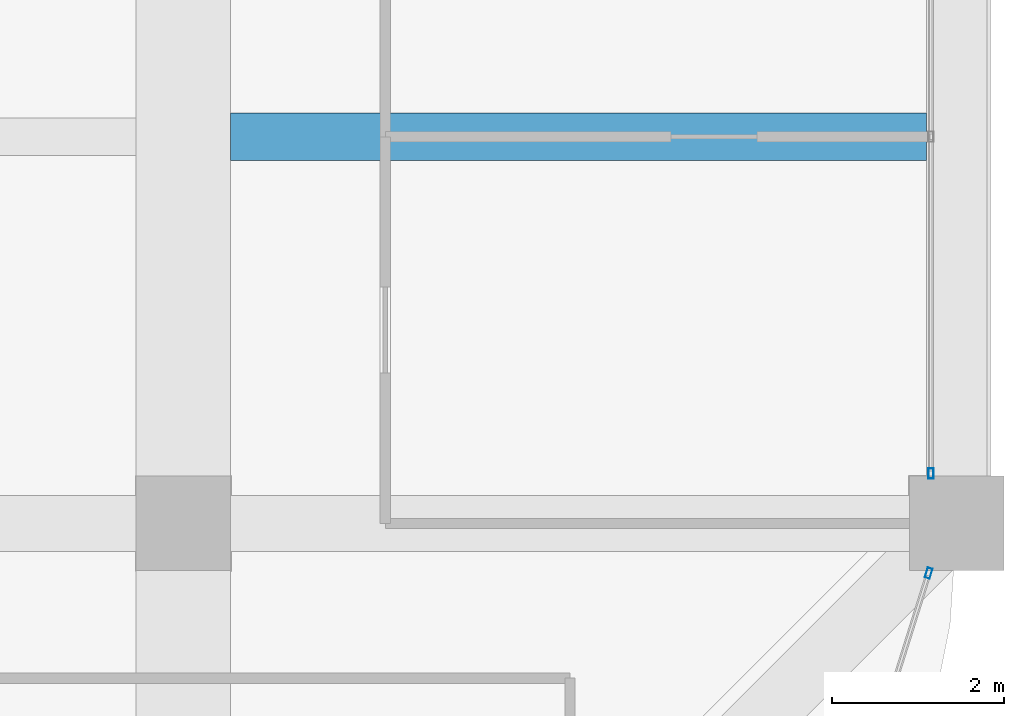
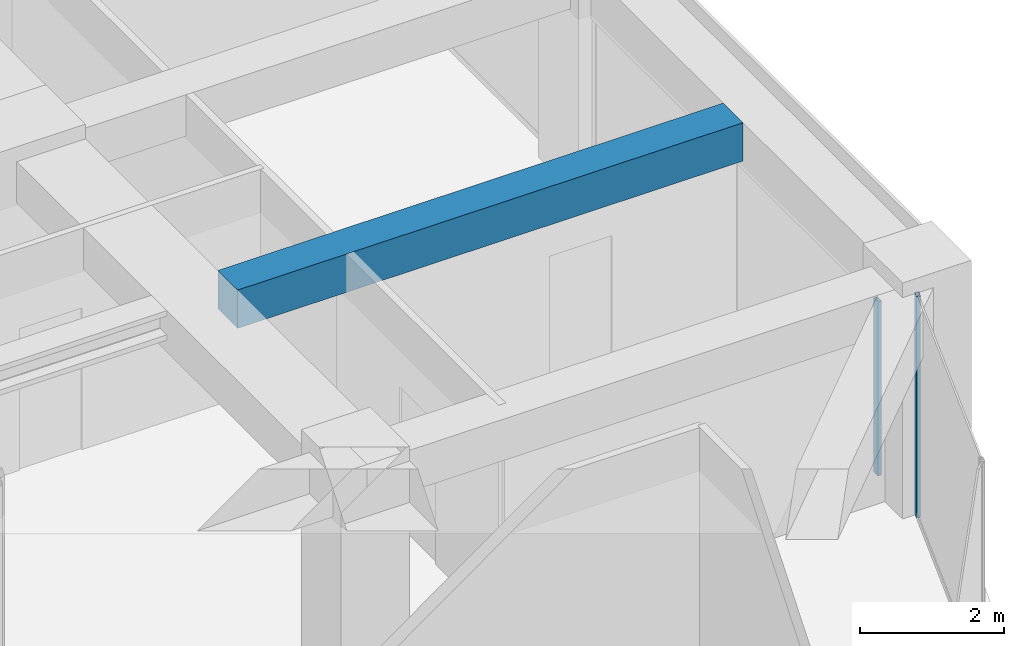
# One storey, part 22 of 44: 2 members, 1 beam, 2 elements without a shape of their own.
"""IFC4 building model written with IfcOpenShell, lengths in metres."""

import ifcopenshell
import ifcopenshell.guid

model = None  # the IFC model being written
_history = None  # IfcOwnerHistory: only IFC2X3 demands one
_inside = {}  # id of a spatial element -> (the spatial element, [elements in it])
_under = {}  # id of a project, library or spatial element -> (it, [spatial elements below it])
_declared = {}  # id of a project -> (the project, [libraries it declares])
_typed = {}  # id of a type object -> (the type object, [elements of that type])
_made_of = {}  # id of a material, layer set ... -> (it, [elements and type objects made of it])


def new_model(schema):
    """Start an empty IFC model of exactly this schema.

    Asked for "IFC4X3", IfcOpenShell would pick the latest addendum, in which some entities
    have other attributes; the version numbers below select the first issue.
    IFC2X3 requires an IfcOwnerHistory on every rooted entity: one is made here for all.
    """
    global model, _history
    if schema == "IFC4X3":
        model = ifcopenshell.file(schema_version=(4, 3, 0, 0))
    else:
        model = ifcopenshell.file(schema=schema)
    _inside.clear()
    _under.clear()
    _declared.clear()
    _typed.clear()
    _made_of.clear()
    _history = None
    if model.schema == "IFC2X3":
        org = make("IfcOrganization", Name="unknown")
        user = make(
            "IfcPersonAndOrganization",
            ThePerson=make("IfcPerson", FamilyName="unknown"),
            TheOrganization=org,
        )
        app = make(
            "IfcApplication",
            ApplicationDeveloper=org,
            Version="unknown",
            ApplicationFullName="unknown",
            ApplicationIdentifier="unknown",
        )
        _history = make(
            "IfcOwnerHistory",
            OwningUser=user,
            OwningApplication=app,
            ChangeAction="ADDED",
            CreationDate=0,
        )
    return model


def make(cls, **values):
    """One entity of the class cls with the attributes given. An attribute that is None is left unset."""
    return model.create_entity(
        cls, **{name: value for name, value in values.items() if value is not None}
    )


def rooted(cls, **values):
    """An entity with a GlobalId (a new one), such as an element, a storey or a relation."""
    return make(cls, GlobalId=ifcopenshell.guid.new(), OwnerHistory=_history, **values)


def si_unit(unit_type, name, prefix=None):
    """IfcSIUnit, for example si_unit("LENGTHUNIT", "METRE", prefix="MILLI")."""
    return make("IfcSIUnit", UnitType=unit_type, Prefix=prefix, Name=name)


def assignment(units):
    """IfcUnitAssignment: the units of a project."""
    return None if units is None else make("IfcUnitAssignment", Units=units)


def point(xyz):
    """IfcCartesianPoint."""
    return None if xyz is None else make("IfcCartesianPoint", Coordinates=xyz)


def direction(xyz):
    """IfcDirection."""
    return None if xyz is None else make("IfcDirection", DirectionRatios=xyz)


def frame(location, z_axis=None, x_axis=None):
    """IfcAxis2Placement3D, a coordinate frame: its origin and axes. An axis left out is left unset."""
    return make(
        "IfcAxis2Placement3D",
        Location=point(location),
        Axis=direction(z_axis),
        RefDirection=direction(x_axis),
    )


def frame_2d(location, x_axis=None):
    """IfcAxis2Placement2D, a coordinate frame in the plane: its origin and x axis."""
    return make(
        "IfcAxis2Placement2D", Location=point(location), RefDirection=direction(x_axis)
    )


def origin():
    """The frame at (0, 0, 0) with its axes left unset."""
    return frame((0.0, 0.0, 0.0))


def origin_2d():
    """The frame at (0, 0) in the plane with its x axis left unset."""
    return frame_2d((0.0, 0.0))


def place(relative_to, where):
    """IfcLocalPlacement: puts the frame where relative to a parent placement (None: the world)."""
    return make(
        "IfcLocalPlacement", PlacementRelTo=relative_to, RelativePlacement=where
    )


def context(
    kind, dimensions, precision=None, world=None, true_north=None, identifier=None
):
    """IfcGeometricRepresentationContext, for example the 3D "Model" context."""
    return make(
        "IfcGeometricRepresentationContext",
        ContextIdentifier=identifier,
        ContextType=kind,
        CoordinateSpaceDimension=dimensions,
        Precision=precision,
        WorldCoordinateSystem=world,
        TrueNorth=true_north,
    )


def subcontext(parent, identifier, kind, view, scale=None):
    """IfcGeometricRepresentationSubContext, for example "Body" below "Model"."""
    return make(
        "IfcGeometricRepresentationSubContext",
        ContextIdentifier=identifier,
        ContextType=kind,
        ParentContext=parent,
        TargetScale=scale,
        TargetView=view,
    )


def project(units=None, contexts=None):
    """IfcProject with its units and contexts."""
    return rooted(
        "IfcProject",
        Name="project",
        RepresentationContexts=contexts,
        UnitsInContext=assignment(units),
    )


def spatial(cls, under=None, at=None, **own):
    """A site, building, storey or space (cls), placed at a placement, below another one or the project."""
    s = rooted(cls, ObjectPlacement=at, **own)
    if under is not None:
        _under.setdefault(under.id(), (under, []))[1].append(s)
    return s


def profile(cls, at=None, kind="AREA", **sizes):
    """A parametric profile (cls). Its sizes go by their IFC names, for example OverallWidth=200.0."""
    return make(cls, ProfileType=kind, Position=at, **sizes)


def rectangle(**sizes):
    """IfcRectangleProfileDef."""
    return profile("IfcRectangleProfileDef", **sizes)


def hollow_rectangle(**sizes):
    """IfcRectangleHollowProfileDef."""
    return profile("IfcRectangleHollowProfileDef", **sizes)


def extrude(swept, where, along, depth):
    """IfcExtrudedAreaSolid: the profile swept, set in the frame where, extruded along a direction by depth."""
    return make(
        "IfcExtrudedAreaSolid",
        SweptArea=swept,
        Position=where,
        ExtrudedDirection=direction(along),
        Depth=depth,
    )


def shape(context_of_items, identifier, shape_type, items):
    """IfcShapeRepresentation: the items that make up one representation, for example the "Body"."""
    return make(
        "IfcShapeRepresentation",
        ContextOfItems=context_of_items,
        RepresentationIdentifier=identifier,
        RepresentationType=shape_type,
        Items=items,
    )


def material(Name=None, Category=None):
    """IfcMaterial."""
    return make("IfcMaterial", Name=Name, Category=Category)


def material_profile(
    of_material, cross_section, Name=None, Category=None, Priority=None
):
    """IfcMaterialProfile: a cross section and its material."""
    return make(
        "IfcMaterialProfile",
        Name=Name,
        Material=of_material,
        Profile=cross_section,
        Priority=Priority,
        Category=Category,
    )


def profile_set(profiles, Name=None, composite=None):
    """IfcMaterialProfileSet."""
    return make(
        "IfcMaterialProfileSet",
        Name=Name,
        MaterialProfiles=profiles,
        CompositeProfile=composite,
    )


def made_of(thing, what):
    """Note that an element or type object is made of a material, layer set ...; save() writes the relation."""
    if what is not None:
        _made_of.setdefault(what.id(), (what, []))[1].append(thing)
    return thing


def type_object(cls, material=None, **own):
    """A type object (cls), such as IfcWallType, which elements share."""
    return made_of(rooted(cls, **own), material)


def element(
    cls,
    number,
    at=None,
    inside=None,
    cuts=None,
    type_object=None,
    material=None,
    context=None,
    identifier="Body",
    shape_type=None,
    held_by="IfcProductDefinitionShape",
    body=None,
    shapes=None,
    **own,
):
    """One element of the class cls, such as IfcWall. Its Tag is "e" and its number.

    at: its placement. inside: the storey or other place that contains it. cuts: it is an
    opening in that element (IfcRelVoidsElement). A single representation is given by context,
    identifier, shape_type and body (its items); several are given by shapes. held_by: the class
    of the entity that holds the representations. save() writes the other relations.
    """
    e = rooted(cls, Tag="e%d" % number, ObjectPlacement=at, **own)
    if body is not None:
        shapes = [shape(context, identifier, shape_type, body)]
    if shapes is not None:
        e.Representation = make(held_by, Representations=shapes)
    if inside is not None:
        _inside.setdefault(inside.id(), (inside, []))[1].append(e)
    if cuts is not None:
        rooted(
            "IfcRelVoidsElement", RelatingBuildingElement=cuts, RelatedOpeningElement=e
        )
    if type_object is not None:
        _typed.setdefault(type_object.id(), (type_object, []))[1].append(e)
    return made_of(e, material)


def aggregate(whole, parts):
    """IfcRelAggregates: a whole, such as a stair, and the parts it consists of."""
    return rooted("IfcRelAggregates", RelatingObject=whole, RelatedObjects=parts)


def save(model, path):
    """Write the relations noted so far, then the file.

    IfcRelAggregates (storeys below a building ...), IfcRelContainedInSpatialStructure (elements
    in a storey), IfcRelDefinesByType, IfcRelAssociatesMaterial and IfcRelDeclares: one each for
    every whole, place, type object, material and project.
    """
    for whole, parts in _under.values():
        aggregate(whole, parts)
    for where, things in _inside.values():
        rooted(
            "IfcRelContainedInSpatialStructure",
            RelatedElements=things,
            RelatingStructure=where,
        )
    for kind, things in _typed.values():
        rooted("IfcRelDefinesByType", RelatedObjects=things, RelatingType=kind)
    for what, things in _made_of.values():
        rooted("IfcRelAssociatesMaterial", RelatedObjects=things, RelatingMaterial=what)
    for by, libraries in _declared.values():
        rooted("IfcRelDeclares", RelatingContext=by, RelatedDefinitions=libraries)
    model.write(path)


model = new_model("IFC4")

# Units and contexts
model_context = context("Model", 3, precision=1e-05, world=origin(), true_north=direction((0.0, 1.0)))
body_context = subcontext(model_context, "Body", "Model", "MODEL_VIEW")
ifc_project = project(units=[si_unit("LENGTHUNIT", "METRE"), si_unit("AREAUNIT", "SQUARE_METRE"), si_unit("VOLUMEUNIT", "CUBIC_METRE"), si_unit("PLANEANGLEUNIT", "RADIAN"), si_unit("MASSUNIT", "GRAM", prefix="KILO")], contexts=[model_context])

# Site, building, storey
site_placement = place(None, origin())
site = spatial("IfcSite", under=ifc_project, at=site_placement, CompositionType="ELEMENT")
building_placement = place(site_placement, origin())
building = spatial("IfcBuilding", under=site, at=building_placement, Name="Zorevar Civic Tower", CompositionType="ELEMENT")
storey_placement = place(building_placement, frame((0.0, 0.0, 299.39990234375)))
storey = spatial("IfcBuildingStorey", under=building, at=storey_placement, Name="L73", CompositionType="ELEMENT", Elevation=299.39990234375)

# Beam
ifc_material_1 = material(Name="Concrete C50/60", Category="concrete")
ifc_material_profile_1 = material_profile(ifc_material_1, rectangle(XDim=0.550048828125, YDim=0.64990234375, at=origin_2d()), Name="RC 550x650")
ifc_profile_set_1 = profile_set([ifc_material_profile_1], Name="Concrete C50/60")
beam_type = type_object("IfcBeamType", Name="Beam RC 550x650", PredefinedType="BEAM", material=ifc_profile_set_1)
beam_placement = place(storey_placement, frame((45.550048828125, 13.5, 3.425048828125), z_axis=(1.0, 0.0, 0.0), x_axis=(0.0, 1.0, 0.0)))
element("IfcBeam", 1, at=beam_placement, inside=storey, type_object=beam_type, Name="Secondary beam L74", PredefinedType="BEAM", context=body_context, shape_type="SweptSolid", body=[
    extrude(rectangle(XDim=0.550048828125, YDim=0.64990234375, at=origin_2d()), origin(), (0.0, 0.0, 1.0), 8.099853515625),
])

# Curtain wall, member
ifc_material_2 = material(Name="Dark grey solar-control glass in black aluminium frame", Category="aluminium")
curtain_wall_type = type_object("IfcCurtainWallType", Name="Curtain wall CW5 top zone", PredefinedType="NOTDEFINED", material=ifc_material_2)
curtain_wall_1_placement = place(storey_placement, origin())
curtain_wall_1 = element("IfcCurtainWall", 2, at=curtain_wall_1_placement, inside=storey, type_object=curtain_wall_type, Name="CW5 L73", PredefinedType="NOTDEFINED")
ifc_material_3 = material(Name="Aluminium, black anodised", Category="aluminium")
ifc_material_profile_2 = material_profile(ifc_material_3, hollow_rectangle(XDim=0.06005859375, YDim=0.1201171875, WallThickness=0.0029296875, at=origin_2d()), Name="AL 120x60x3")
ifc_profile_set_2 = profile_set([ifc_material_profile_2], Name="Aluminium, black anodised")
member_type = type_object("IfcMemberType", Name="CW5 mullion AL 120x60x3", PredefinedType="MULLION", material=ifc_profile_set_2)
member_1_placement = place(storey_placement, frame((53.699951171875, 9.580078125, 0.0), z_axis=(0.0, 0.0, 1.0), x_axis=(-1.0, 0.0, 0.0)))
member_1 = element("IfcMember", 3, at=member_1_placement, type_object=member_type, Name="CW5 mullion 1", PredefinedType="MULLION", context=body_context, shape_type="SweptSolid", body=[
    extrude(hollow_rectangle(XDim=0.06005859375, YDim=0.1201171875, WallThickness=0.0029296875, at=origin_2d()), origin(), (0.0, 0.0, 1.0), 2.9501953125),
])
aggregate(curtain_wall_1, [member_1])

curtain_wall_2_placement = place(storey_placement, origin())
curtain_wall_2 = element("IfcCurtainWall", 4, at=curtain_wall_2_placement, inside=storey, type_object=curtain_wall_type, Name="CW5 L73", PredefinedType="NOTDEFINED")
member_2_placement = place(storey_placement, frame((53.673583984375, 8.42138671875, 0.0), z_axis=(0.0, 0.0, 1.0), x_axis=(-0.954153437674, 0.299317920238, 0.0)))
member_2 = element("IfcMember", 5, at=member_2_placement, type_object=member_type, Name="CW5 mullion 2", PredefinedType="MULLION", context=body_context, shape_type="SweptSolid", body=[
    extrude(hollow_rectangle(XDim=0.06005859375, YDim=0.1201171875, WallThickness=0.0029296875, at=origin_2d()), origin(), (0.0, 0.0, 1.0), 3.75),
])
aggregate(curtain_wall_2, [member_2])

save(model, "model.ifc")
